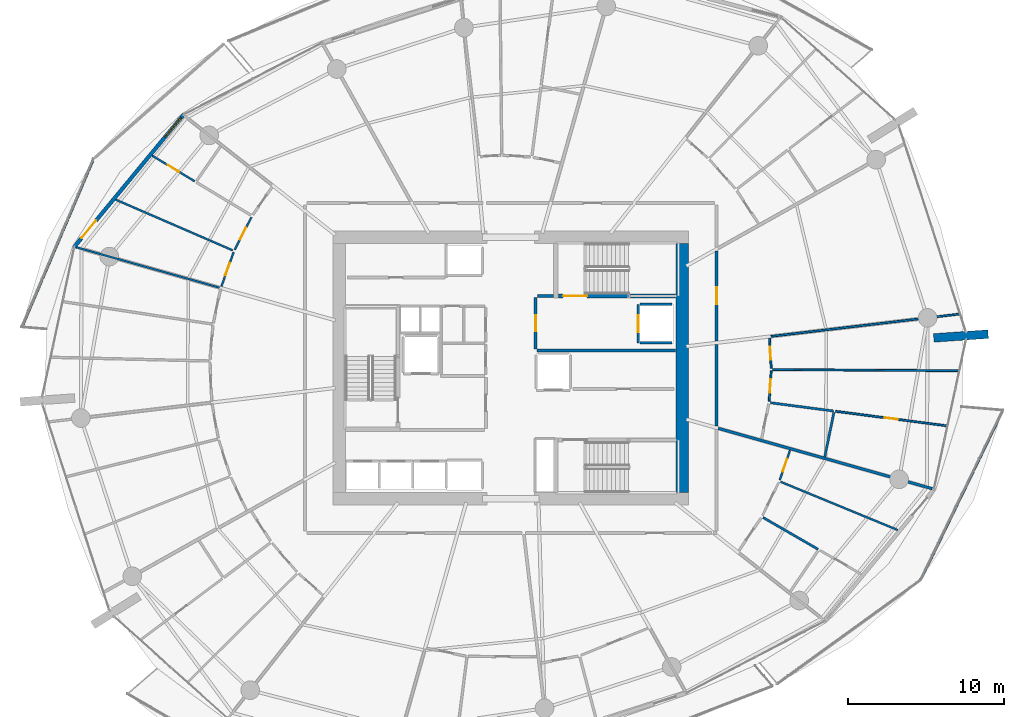
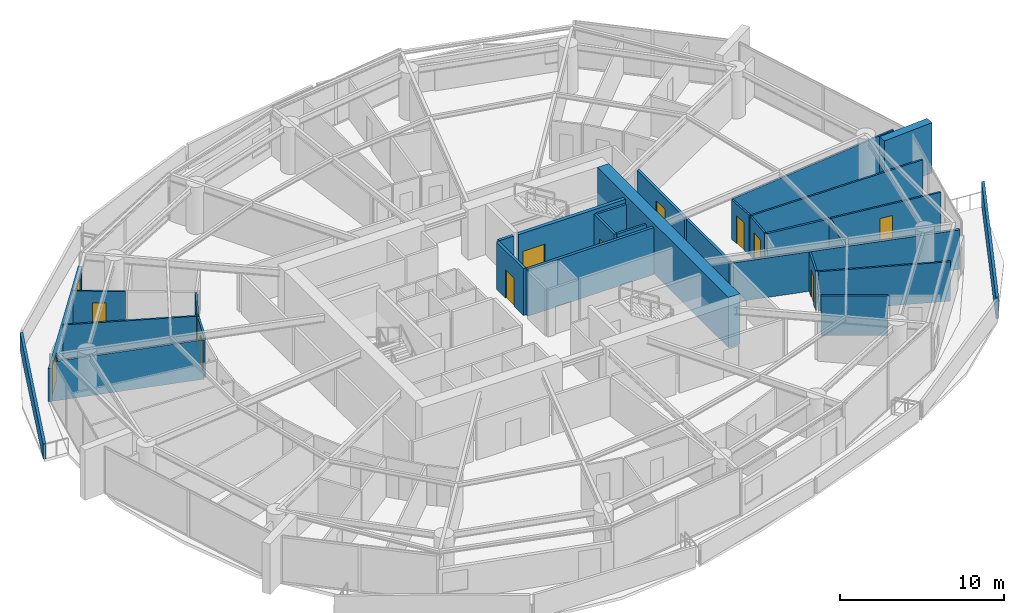
# One storey, part 14 of 23: 30 walls, 12 doors, 1 window, 13 openings.
"""IFC4 building model written with IfcOpenShell, lengths in metres."""

from ifc_helpers import new_model, si_unit, direction, frame, frame_2d, origin, place, context, subcontext, project, spatial, polyline, rectangle, outline, extrude, material, layer, layer_set, type_object, element, fill, save


model = new_model("IFC4")

# Units and contexts
model_context = context("Model", 3, precision=1e-05, world=origin(), true_north=direction((0.0, 1.0)))
body_context = subcontext(model_context, "Body", "Model", "MODEL_VIEW")
ifc_project = project(units=[si_unit("LENGTHUNIT", "METRE"), si_unit("AREAUNIT", "SQUARE_METRE"), si_unit("VOLUMEUNIT", "CUBIC_METRE"), si_unit("PLANEANGLEUNIT", "RADIAN"), si_unit("MASSUNIT", "GRAM", prefix="KILO")], contexts=[model_context])

# Site, building, storey
site_placement = place(None, origin())
site = spatial("IfcSite", under=ifc_project, at=site_placement, CompositionType="ELEMENT")
building_placement = place(site_placement, origin())
building = spatial("IfcBuilding", under=site, at=building_placement, Name="Kazma Halo Residences", CompositionType="ELEMENT")
storey_placement = place(building_placement, frame((0.0, 0.0, 86.39990234375)))
storey = spatial("IfcBuildingStorey", under=building, at=storey_placement, Name="L21", CompositionType="ELEMENT", Elevation=86.39990234375)

# Walls
ifc_material_1 = material(Name="White Concrete C50/60 Balustrade", Category="concrete")
ifc_layer_1 = layer(ifc_material_1, 0.179931640625)
ifc_layer_set_1 = layer_set([ifc_layer_1], Name="White Concrete C50/60 Balustrade")
wall_type_1 = type_object("IfcWallType", Name="WL-BAL-WAVE-180", PredefinedType="PARAPET", material=ifc_layer_set_1)
wall_1_placement = place(storey_placement, frame((21.55810546875, 55.33837890625, 0.0), z_axis=(0.0, 0.0, 1.0), x_axis=(-0.391761113394, -0.920066970406, 0.0)))
element("IfcWall", 1, at=wall_1_placement, inside=storey, type_object=wall_type_1, Name="L21 white wave balustrade wall NW.2", PredefinedType="PARAPET", context=body_context, shape_type="SweptSolid", body=[
    extrude(outline(polyline([(0.0, 0.0), (11.637939453125, 0.0), (11.63818359375, 1.1201171875), (5.819091796875, 1.18212890625), (0.0, 1.34814453125), (0.0, 0.0)])), frame((0.0, 0.08984375, 0.0), z_axis=(0.0, -1.0, 0.0), x_axis=(1.0, 0.0, 0.0)), (0.0, 0.0, 1.0), 0.179931640625),
])
wall_2_placement = place(storey_placement, frame((74.802001953125, 28.478515625, 0.0), z_axis=(0.0, 0.0, 1.0), x_axis=(0.436107839058, 0.89989441198, 0.0)))
element("IfcWall", 2, at=wall_2_placement, inside=storey, type_object=wall_type_1, Name="L21 white wave balustrade wall SE.2", PredefinedType="PARAPET", context=body_context, shape_type="SweptSolid", body=[
    extrude(outline(polyline([(0.0, 0.0), (12.004638671875, 0.0), (12.0048828125, 1.860107421875), (6.00244140625, 1.798095703125), (0.0, 1.632080078125), (0.0, 0.0)])), frame((0.0, 0.08984375, 0.0), z_axis=(0.0, -1.0, 0.0), x_axis=(1.0, 0.0, 0.0)), (0.0, 0.0, 1.0), 0.179931640625),
])
ifc_material_2 = material(Name="Pale Concrete C60/75", Category="concrete")
ifc_layer_2 = layer(ifc_material_2, 0.550048828125)
ifc_layer_set_2 = layer_set([ifc_layer_2], Name="Pale Concrete C60/75")
wall_type_2 = type_object("IfcWallType", Name="WL-BLADE-550", PredefinedType="SOLIDWALL", material=ifc_layer_set_2)
wall_3_placement = place(storey_placement, frame((75.606201171875, 43.930419921875, 0.0), z_axis=(0.0, 0.0, 1.0), x_axis=(0.997564163539, 0.069754853754, 0.0)))
element("IfcWall", 3, at=wall_3_placement, inside=storey, type_object=wall_type_2, Name="L21 pale concrete structural blade fin wall BW-04", PredefinedType="SOLIDWALL", context=body_context, shape_type="SweptSolid", body=[
    extrude(rectangle(XDim=3.5, YDim=0.550048828125, at=frame_2d((1.75, 0.0))), origin(), (0.0, 0.0, 1.0), 3.75),
])
ifc_material_3 = material(Name="Concrete C80/95", Category="concrete")
ifc_layer_3 = layer(ifc_material_3, 0.800048828125)
ifc_layer_set_3 = layer_set([ifc_layer_3], Name="Concrete C80/95")
wall_type_3 = type_object("IfcWallType", Name="WL-CORE-800", PredefinedType="SHEAR", material=ifc_layer_set_3)
wall_4_placement = place(storey_placement, frame((59.449951171875, 34.0, 0.0), z_axis=(0.0, 0.0, 1.0), x_axis=(0.0, 1.0, 0.0)))
element("IfcWall", 4, at=wall_4_placement, inside=storey, type_object=wall_type_3, Name="L21 central core shear wall E", PredefinedType="SHEAR", context=body_context, shape_type="SweptSolid", body=[
    extrude(rectangle(XDim=16.0, YDim=0.800048828125, at=frame_2d((8.0, 0.0))), origin(), (0.0, 0.0, 1.0), 3.75),
])
ifc_material_4 = material(Name="Acoustic Twin-Stud Gypsum")
ifc_layer_4 = layer(ifc_material_4, 0.179931640625)
ifc_layer_set_4 = layer_set([ifc_layer_4], Name="Acoustic Twin-Stud Gypsum")
wall_type_4 = type_object("IfcWallType", Name="WL-DEM-180", PredefinedType="PARTITIONING", material=ifc_layer_set_4)
wall_5_placement = place(storey_placement, frame((61.755859375, 38.120361328125, 0.0), z_axis=(0.0, 0.0, 1.0), x_axis=(0.962455861176, -0.271438234756, 0.0)))
element("IfcWall", 5, at=wall_5_placement, inside=storey, type_object=wall_type_4, Name="L21 apartment demising radial wall 14", PredefinedType="PARTITIONING", context=body_context, shape_type="SweptSolid", body=[
    extrude(rectangle(XDim=14.278564453125, YDim=0.179931640625, at=frame_2d((7.13916015625, 0.0))), origin(), (0.0, 0.0, 1.0), 2.940185546875),
])

# Wall, opening, door
wall_6_placement = place(storey_placement, frame((61.64990234375, 43.735595703125, 0.0), z_axis=(0.0, 0.0, 1.0), x_axis=(0.0, 1.0, 0.0)))
wall_6 = element("IfcWall", 6, at=wall_6_placement, inside=storey, type_object=wall_type_4, Name="L21 Apartment 4 entrance corridor wall", PredefinedType="PARTITIONING", context=body_context, shape_type="SweptSolid", body=[
    extrude(rectangle(XDim=5.788818359375, YDim=0.179931640625, at=frame_2d((2.89453125, 0.0))), origin(), (0.0, 0.0, 1.0), 2.940185546875),
])
opening_1_placement = place(wall_6_placement, frame((2.344482421875, 0.0, 0.0)))
opening_1 = element("IfcOpeningElement", 7, at=opening_1_placement, cuts=wall_6, Name="Opening DA-1100", PredefinedType="OPENING", context=body_context, shape_type="SweptSolid", body=[
    extrude(rectangle(XDim=1.10009765625, YDim=2.10009765625, at=frame_2d((0.550048828125, 1.050048828125))), frame((0.0, 0.099853515625, 0.0), z_axis=(0.0, -1.0, 0.0), x_axis=(1.0, 0.0, 0.0)), (0.0, 0.0, 1.0), 0.199951171875),
])
ifc_material_5 = material(Name="Acoustic Walnut Fire Leaf")
door_type_1 = type_object("IfcDoorType", Name="DR-FD60-1100", OperationType="NOTDEFINED", PredefinedType="DOOR", material=ifc_material_5)
door_1_placement = place(opening_1_placement, origin())
door_1 = element("IfcDoor", 8, at=door_1_placement, inside=storey, type_object=door_type_1, Name="L21 Apartment 4 entrance fire door", OperationType="SINGLE_SWING_RIGHT", OverallHeight=2.10009765625, OverallWidth=1.10009765625, PredefinedType="DOOR", context=body_context, shape_type="SweptSolid", body=[
    extrude(rectangle(XDim=1.10009765625, YDim=2.10009765625, at=frame_2d((0.550048828125, 1.050048828125))), frame((0.0, 0.02490234375, 0.0), z_axis=(0.0, -1.0, 0.0), x_axis=(1.0, 0.0, 0.0)), (0.0, 0.0, 1.0), 0.050048828125),
])
fill(opening_1, door_1)

# Wall
wall_7_placement = place(storey_placement, frame((61.64990234375, 38.270263671875, 0.0), z_axis=(0.0, 0.0, 1.0), x_axis=(0.0, 1.0, 0.0)))
element("IfcWall", 9, at=wall_7_placement, inside=storey, type_object=wall_type_4, Name="L21 Apartment 4 inner wall 14", PredefinedType="PARTITIONING", context=body_context, shape_type="SweptSolid", body=[
    extrude(rectangle(XDim=5.225341796875, YDim=0.179931640625, at=frame_2d((2.61279296875, 0.0))), origin(), (0.0, 0.0, 1.0), 2.940185546875),
])

# Wall, openings, door, window
ifc_material_6 = material(Name="Insulated Pale-Metal Composite Wall")
ifc_layer_5 = layer(ifc_material_6, 0.239990234375)
ifc_layer_set_5 = layer_set([ifc_layer_5], Name="Insulated Pale-Metal Composite Wall")
wall_type_5 = type_object("IfcWallType", Name="WL-EXT-HOST-240", PredefinedType="SOLIDWALL", material=ifc_layer_set_5)
wall_8_placement = place(storey_placement, frame((27.406982421875, 58.2978515625, 0.0), z_axis=(0.0, 0.0, 1.0), x_axis=(-0.636704975, -0.771107498868, 0.0)))
wall_8 = element("IfcWall", 10, at=wall_8_placement, inside=storey, type_object=wall_type_5, Name="L21 exterior terrace-access wall B06", PredefinedType="SOLIDWALL", context=body_context, shape_type="SweptSolid", body=[
    extrude(rectangle(XDim=11.084228515625, YDim=0.239990234375, at=frame_2d((5.5419921875, 0.0))), origin(), (0.0, 0.0, 1.0), 2.4501953125),
])
opening_2_placement = place(wall_8_placement, frame((8.8642578125, 0.0, 0.0)))
opening_2 = element("IfcOpeningElement", 11, at=opening_2_placement, cuts=wall_8, Name="Opening DTR-1600", PredefinedType="OPENING", context=body_context, shape_type="SweptSolid", body=[
    extrude(rectangle(XDim=1.449951171875, YDim=2.14990234375, at=frame_2d((0.72509765625, 1.074951171875))), frame((0.0, 0.1298828125, 0.0), z_axis=(0.0, -1.0, 0.0), x_axis=(1.0, 0.0, 0.0)), (0.0, 0.0, 1.0), 0.260009765625),
])
opening_3_placement = place(wall_8_placement, frame((0.280029296875, 0.0, 0.64990234375)))
opening_3 = element("IfcOpeningElement", 12, at=opening_3_placement, cuts=wall_8, Name="Opening W-1800", PredefinedType="OPENING", context=body_context, shape_type="SweptSolid", body=[
    extrude(rectangle(XDim=1.60009765625, YDim=1.5, at=frame_2d((0.800048828125, 0.75))), frame((0.0, 0.1298828125, 0.0), z_axis=(0.0, -1.0, 0.0), x_axis=(1.0, 0.0, 0.0)), (0.0, 0.0, 1.0), 0.260009765625),
])
ifc_material_7 = material(Name="Aluminium AW-6063 T6 Double-Glazed Terrace Door", Category="aluminium")
door_type_2 = type_object("IfcDoorType", Name="DR-EXT-TERR-1600", OperationType="NOTDEFINED", PredefinedType="DOOR", material=ifc_material_7)
door_2_placement = place(opening_2_placement, origin())
door_2 = element("IfcDoor", 13, at=door_2_placement, inside=storey, type_object=door_type_2, Name="L21 B06 balcony terrace door", OperationType="DOUBLE_DOOR_SLIDING", OverallHeight=2.14990234375, OverallWidth=1.449951171875, PredefinedType="DOOR", context=body_context, shape_type="SweptSolid", body=[
    extrude(rectangle(XDim=1.449951171875, YDim=2.14990234375, at=frame_2d((0.72509765625, 1.074951171875))), frame((0.0, 0.02490234375, 0.0), z_axis=(0.0, -1.0, 0.0), x_axis=(1.0, 0.0, 0.0)), (0.0, 0.0, 1.0), 0.050048828125),
])
fill(opening_2, door_2)
ifc_material_8 = material(Name="Clear Triple-Silver Low-E Glass in Aluminium AW-6063 T6 Frame", Category="aluminium")
window_type = type_object("IfcWindowType", Name="WIN-RES-1800", PartitioningType="DOUBLE_PANEL_VERTICAL", PredefinedType="WINDOW", material=ifc_material_8)
window_placement = place(opening_3_placement, origin())
window = element("IfcWindow", 14, at=window_placement, inside=storey, type_object=window_type, Name="L21 B06 apartment window", OverallHeight=1.5, OverallWidth=1.60009765625, PartitioningType="SINGLE_PANEL", PredefinedType="WINDOW", context=body_context, shape_type="SweptSolid", body=[
    extrude(rectangle(XDim=1.60009765625, YDim=1.5, at=frame_2d((0.800048828125, 0.75))), frame((0.0, 0.030029296875, 0.0), z_axis=(0.0, -1.0, 0.0), x_axis=(1.0, 0.0, 0.0)), (0.0, 0.0, 1.0), 0.06005859375),
])
fill(opening_3, window)

# Wall, opening, door
ifc_material_9 = material(Name="Fire-Rated Blockwork Masonry", Category="masonry")
ifc_layer_6 = layer(ifc_material_9, 0.199951171875)
ifc_layer_set_6 = layer_set([ifc_layer_6], Name="Fire-Rated Blockwork Masonry")
wall_type_6 = type_object("IfcWallType", Name="WL-FLB-200", PredefinedType="PARTITIONING", material=ifc_layer_set_6)
wall_9_placement = place(storey_placement, frame((56.6201171875, 46.080078125, 0.0), z_axis=(0.0, 0.0, 1.0), x_axis=(0.0, -1.0, 0.0)))
wall_9 = element("IfcWall", 15, at=wall_9_placement, inside=storey, type_object=wall_type_6, Name="L21 lift shaft FL-02 front wall", PredefinedType="PARTITIONING", context=body_context, shape_type="SweptSolid", body=[
    extrude(rectangle(XDim=2.4599609375, YDim=0.159912109375, at=frame_2d((1.22998046875, 0.0))), origin(), (0.0, 0.0, 1.0), 3.5),
])
opening_4_placement = place(wall_9_placement, frame((0.679931640625, 0.0, 0.0)))
opening_4 = element("IfcOpeningElement", 16, at=opening_4_placement, cuts=wall_9, Name="Opening LD-FL-02", PredefinedType="OPENING", context=body_context, shape_type="SweptSolid", body=[
    extrude(rectangle(XDim=1.10009765625, YDim=2.10009765625, at=frame_2d((0.550048828125, 1.050048828125))), frame((0.0, 0.08984375, 0.0), z_axis=(0.0, -1.0, 0.0), x_axis=(1.0, 0.0, 0.0)), (0.0, 0.0, 1.0), 0.179931640625),
])
ifc_material_10 = material(Name="Stainless Steel Fire-Rated", Category="steel")
door_type_3 = type_object("IfcDoorType", Name="DR-LIFT-SLD-1100", OperationType="DOUBLE_DOOR_SLIDING", PredefinedType="DOOR", material=ifc_material_10)
door_3_placement = place(opening_4_placement, origin())
door_3 = element("IfcDoor", 17, at=door_3_placement, inside=storey, type_object=door_type_3, Name="L21 lift FL-02 sliding landing door", OperationType="DOUBLE_DOOR_SLIDING", OverallHeight=2.10009765625, OverallWidth=1.10009765625, PredefinedType="DOOR", context=body_context, shape_type="SweptSolid", body=[
    extrude(rectangle(XDim=1.10009765625, YDim=2.10009765625, at=frame_2d((0.550048828125, 1.050048828125))), frame((0.0, 0.02490234375, 0.0), z_axis=(0.0, -1.0, 0.0), x_axis=(1.0, 0.0, 0.0)), (0.0, 0.0, 1.0), 0.050048828125),
])
fill(opening_4, door_3)

# Walls
for number, where, z_axis, x_axis, name in (
    (18, (56.719970703125, 46.080078125, 0.0), (0.0, 0.0, 1.0), (1.0, 0.0, 0.0), "L21 lift shaft FL-02 side wall N"),
    (19, (56.719970703125, 43.6201171875, 0.0), (0.0, 0.0, 1.0), (1.0, 0.0, 0.0), "L21 lift shaft FL-02 side wall S"),
):
    element("IfcWall", number, at=place(storey_placement, frame(where, z_axis=z_axis, x_axis=x_axis)), inside=storey, type_object=wall_type_6, Name=name, PredefinedType="PARTITIONING", context=body_context, shape_type="SweptSolid", body=[
        extrude(rectangle(XDim=2.06005859375, YDim=0.159912109375, at=frame_2d((1.030029296875, 0.0))), origin(), (0.0, 0.0, 1.0), 3.5),
    ])
wall_10_placement = place(storey_placement, frame((50.1201171875, 43.1201171875, 0.0), z_axis=(0.0, 0.0, 1.0), x_axis=(1.0, 0.0, 0.0)))
element("IfcWall", 20, at=wall_10_placement, inside=storey, type_object=wall_type_6, Name="L21 east firefighting lobby south smoke wall", PredefinedType="PARTITIONING", context=body_context, shape_type="SweptSolid", body=[
    extrude(rectangle(XDim=8.8798828125, YDim=0.199951171875, at=frame_2d((4.43994140625, 0.0))), origin(), (0.0, 0.0, 1.0), 3.5),
])
wall_11_placement = place(storey_placement, frame((50.139892578125, 46.6201171875, 0.0), z_axis=(0.0, 0.0, 1.0), x_axis=(1.0, 0.0, 0.0)))
element("IfcWall", 21, at=wall_11_placement, inside=storey, type_object=wall_type_6, Name="L21 east firefighting lobby north closure wall", PredefinedType="PARTITIONING", context=body_context, shape_type="SweptSolid", body=[
    extrude(rectangle(XDim=1.02001953125, YDim=0.199951171875, at=frame_2d((0.510009765625, 0.0))), origin(), (0.0, 0.0, 1.0), 3.5),
])

# Wall, opening, door
wall_12_placement = place(storey_placement, frame((50.02001953125, 43.219970703125, 0.0), z_axis=(0.0, 0.0, 1.0), x_axis=(0.0, 1.0, 0.0)))
wall_12 = element("IfcWall", 22, at=wall_12_placement, inside=storey, type_object=wall_type_6, Name="L21 east firefighting lobby smoke wall", PredefinedType="PARTITIONING", context=body_context, shape_type="SweptSolid", body=[
    extrude(rectangle(XDim=3.300048828125, YDim=0.199951171875, at=frame_2d((1.64990234375, 0.0))), origin(), (0.0, 0.0, 1.0), 3.5),
])
opening_5_placement = place(wall_12_placement, frame((1.125, 0.0, 0.0)))
opening_5 = element("IfcOpeningElement", 23, at=opening_5_placement, cuts=wall_12, Name="Opening D-FLE", PredefinedType="OPENING", context=body_context, shape_type="SweptSolid", body=[
    extrude(rectangle(XDim=1.050048828125, YDim=2.10009765625, at=frame_2d((0.52490234375, 1.050048828125))), frame((0.0, 0.10986328125, 0.0), z_axis=(0.0, -1.0, 0.0), x_axis=(1.0, 0.0, 0.0)), (0.0, 0.0, 1.0), 0.219970703125),
])
ifc_material_11 = material(Name="Fire-Rated Steel Leaf", Category="steel")
door_type_4 = type_object("IfcDoorType", Name="DR-FD90-1050", OperationType="NOTDEFINED", PredefinedType="DOOR", material=ifc_material_11)
door_4_placement = place(opening_5_placement, origin())
door_4 = element("IfcDoor", 24, at=door_4_placement, inside=storey, type_object=door_type_4, Name="L21 east firefighting lobby smoke door", OperationType="SINGLE_SWING_LEFT", OverallHeight=2.10009765625, OverallWidth=1.050048828125, PredefinedType="DOOR", context=body_context, shape_type="SweptSolid", body=[
    extrude(rectangle(XDim=1.050048828125, YDim=2.10009765625, at=frame_2d((0.52490234375, 1.050048828125))), frame((0.0, 0.02490234375, 0.0), z_axis=(0.0, -1.0, 0.0), x_axis=(1.0, 0.0, 0.0)), (0.0, 0.0, 1.0), 0.050048828125),
])
fill(opening_5, door_4)

ifc_material_12 = material(Name="Gypsum Plasterboard Partition")
ifc_layer_7 = layer(ifc_material_12, 0.125)
ifc_layer_set_7 = layer_set([ifc_layer_7], Name="Gypsum Plasterboard Partition")
wall_type_7 = type_object("IfcWallType", Name="WL-PART-125", PredefinedType="PARTITIONING", material=ifc_layer_set_7)
wall_13_placement = place(storey_placement, frame((28.108642578125, 53.996826171875, 0.0), z_axis=(0.0, 0.0, 1.0), x_axis=(-0.856309036054, 0.516463778761, 0.0)))
wall_13 = element("IfcWall", 25, at=wall_13_placement, inside=storey, type_object=wall_type_7, Name="L21 Apartment 1 Utility Laundry Room partition wall", PredefinedType="PARTITIONING", context=body_context, shape_type="SweptSolid", body=[
    extrude(rectangle(XDim=3.1904296875, YDim=0.125, at=frame_2d((1.59521484375, 0.0))), origin(), (0.0, 0.0, 1.0), 2.940185546875),
])
opening_6_placement = place(wall_13_placement, frame((1.17041015625, 0.0, 0.0)))
opening_6 = element("IfcOpeningElement", 26, at=opening_6_placement, cuts=wall_13, Name="Opening DB-900", PredefinedType="OPENING", context=body_context, shape_type="SweptSolid", body=[
    extrude(rectangle(XDim=0.85009765625, YDim=2.06005859375, at=frame_2d((0.425048828125, 1.030029296875))), frame((0.0, 0.072509765625, 0.0), z_axis=(0.0, -1.0, 0.0), x_axis=(1.0, 0.0, 0.0)), (0.0, 0.0, 1.0), 0.14501953125),
])
ifc_material_13 = material(Name="Moisture-Sealed Timber Leaf", Category="wood")
door_type_5 = type_object("IfcDoorType", Name="DR-BTH-900", OperationType="NOTDEFINED", PredefinedType="DOOR", material=ifc_material_13)
door_5_placement = place(opening_6_placement, origin())
door_5 = element("IfcDoor", 27, at=door_5_placement, inside=storey, type_object=door_type_5, Name="L21 Apartment 1 Utility Laundry Room door", OperationType="SINGLE_SWING_RIGHT", OverallHeight=2.06005859375, OverallWidth=0.85009765625, PredefinedType="DOOR", context=body_context, shape_type="SweptSolid", body=[
    extrude(rectangle(XDim=0.85009765625, YDim=2.06005859375, at=frame_2d((0.425048828125, 1.030029296875))), frame((0.0, 0.02490234375, 0.0), z_axis=(0.0, -1.0, 0.0), x_axis=(1.0, 0.0, 0.0)), (0.0, 0.0, 1.0), 0.050048828125),
])
fill(opening_6, door_5)

# Wall
wall_14_placement = place(storey_placement, frame((30.557373046875, 49.556396484375, 0.0), z_axis=(0.0, 0.0, 1.0), x_axis=(-0.917609944695, 0.39748206173, 0.0)))
element("IfcWall", 28, at=wall_14_placement, inside=storey, type_object=wall_type_7, Name="L21 Apartment 1 suite divider 5", PredefinedType="PARTITIONING", context=body_context, shape_type="SweptSolid", body=[
    extrude(rectangle(XDim=8.197265625, YDim=0.125, at=frame_2d((4.0986328125, 0.0))), origin(), (0.0, 0.0, 1.0), 2.940185546875),
])

# Wall, opening, door
wall_15_placement = place(storey_placement, frame((31.75830078125, 51.69091796875, 0.0), z_axis=(0.0, 0.0, 1.0), x_axis=(-0.458055610994, -0.888923538465, 0.0)))
wall_15 = element("IfcWall", 29, at=wall_15_placement, inside=storey, type_object=wall_type_7, Name="L21 Apartment 1 Gourmet Kitchen hall wall", PredefinedType="PARTITIONING", context=body_context, shape_type="SweptSolid", body=[
    extrude(rectangle(XDim=2.361572265625, YDim=0.125, at=frame_2d((1.1806640625, 0.0))), origin(), (0.0, 0.0, 1.0), 2.940185546875),
])
opening_7_placement = place(wall_15_placement, frame((0.755859375, 0.0, 0.0)))
opening_7 = element("IfcOpeningElement", 30, at=opening_7_placement, cuts=wall_15, Name="Opening DB-900", PredefinedType="OPENING", context=body_context, shape_type="SweptSolid", body=[
    extrude(rectangle(XDim=0.85009765625, YDim=2.06005859375, at=frame_2d((0.425048828125, 1.030029296875))), frame((0.0, 0.072509765625, 0.0), z_axis=(0.0, -1.0, 0.0), x_axis=(1.0, 0.0, 0.0)), (0.0, 0.0, 1.0), 0.14501953125),
])
door_6_placement = place(opening_7_placement, origin())
door_6 = element("IfcDoor", 31, at=door_6_placement, inside=storey, type_object=door_type_5, Name="L21 Apartment 1 Gourmet Kitchen door", OperationType="SINGLE_SWING_LEFT", OverallHeight=2.06005859375, OverallWidth=0.85009765625, PredefinedType="DOOR", context=body_context, shape_type="SweptSolid", body=[
    extrude(rectangle(XDim=0.85009765625, YDim=2.06005859375, at=frame_2d((0.425048828125, 1.030029296875))), frame((0.0, 0.02490234375, 0.0), z_axis=(0.0, -1.0, 0.0), x_axis=(1.0, 0.0, 0.0)), (0.0, 0.0, 1.0), 0.050048828125),
])
fill(opening_7, door_6)

wall_16_placement = place(storey_placement, frame((30.61328125, 49.445068359375, 0.0), z_axis=(0.0, 0.0, 1.0), x_axis=(-0.335316857021, -0.94210541098, 0.0)))
wall_16 = element("IfcWall", 32, at=wall_16_placement, inside=storey, type_object=wall_type_7, Name="L21 Apartment 1 Primary Bedroom hall wall", PredefinedType="PARTITIONING", context=body_context, shape_type="SweptSolid", body=[
    extrude(rectangle(XDim=2.351806640625, YDim=0.125, at=frame_2d((1.17578125, 0.0))), origin(), (0.0, 0.0, 1.0), 2.940185546875),
])
opening_8_placement = place(wall_16_placement, frame((0.750732421875, 0.0, 0.0)))
opening_8 = element("IfcOpeningElement", 33, at=opening_8_placement, cuts=wall_16, Name="Opening DB-900", PredefinedType="OPENING", context=body_context, shape_type="SweptSolid", body=[
    extrude(rectangle(XDim=0.85009765625, YDim=2.06005859375, at=frame_2d((0.425048828125, 1.030029296875))), frame((0.0, 0.072509765625, 0.0), z_axis=(0.0, -1.0, 0.0), x_axis=(1.0, 0.0, 0.0)), (0.0, 0.0, 1.0), 0.14501953125),
])
door_7_placement = place(opening_8_placement, origin())
door_7 = element("IfcDoor", 34, at=door_7_placement, inside=storey, type_object=door_type_5, Name="L21 Apartment 1 Primary Bedroom door", OperationType="SINGLE_SWING_RIGHT", OverallHeight=2.06005859375, OverallWidth=0.85009765625, PredefinedType="DOOR", context=body_context, shape_type="SweptSolid", body=[
    extrude(rectangle(XDim=0.85009765625, YDim=2.06005859375, at=frame_2d((0.425048828125, 1.030029296875))), frame((0.0, 0.02490234375, 0.0), z_axis=(0.0, -1.0, 0.0), x_axis=(1.0, 0.0, 0.0)), (0.0, 0.0, 1.0), 0.050048828125),
])
fill(opening_8, door_7)

# Walls
wall_17_placement = place(storey_placement, frame((29.695068359375, 47.16259765625, 0.0), z_axis=(0.0, 0.0, 1.0), x_axis=(-0.962455839824, 0.271438310467, 0.0)))
element("IfcWall", 35, at=wall_17_placement, inside=storey, type_object=wall_type_7, Name="L21 Apartment 1 radial partition 6", PredefinedType="PARTITIONING", context=body_context, shape_type="SweptSolid", body=[
    extrude(rectangle(XDim=9.552001953125, YDim=0.125, at=frame_2d((4.77587890625, 0.0))), origin(), (0.0, 0.0, 1.0), 2.940185546875),
])
wall_18_placement = place(storey_placement, frame((65.764404296875, 34.68408203125, 0.0), z_axis=(0.0, 0.0, 1.0), x_axis=(0.924663817091, -0.380784486767, 0.0)))
element("IfcWall", 36, at=wall_18_placement, inside=storey, type_object=wall_type_7, Name="L21 Apartment 3 suite divider 13", PredefinedType="PARTITIONING", context=body_context, shape_type="SweptSolid", body=[
    extrude(rectangle(XDim=8.143310546875, YDim=0.125, at=frame_2d((4.07177734375, 0.0))), origin(), (0.0, 0.0, 1.0), 2.940185546875),
])

# Wall, opening, door
wall_19_placement = place(storey_placement, frame((65.70751953125, 34.7939453125, 0.0), z_axis=(0.0, 0.0, 1.0), x_axis=(0.326586587155, 0.945167287357, 0.0)))
wall_19 = element("IfcWall", 37, at=wall_19_placement, inside=storey, type_object=wall_type_7, Name="L21 Apartment 3 South Master Bedroom hall wall", PredefinedType="PARTITIONING", context=body_context, shape_type="SweptSolid", body=[
    extrude(rectangle(XDim=2.03271484375, YDim=0.125, at=frame_2d((1.016357421875, 0.0))), origin(), (0.0, 0.0, 1.0), 2.940185546875),
])
opening_9_placement = place(wall_19_placement, frame((0.59130859375, 0.0, 0.0)))
opening_9 = element("IfcOpeningElement", 38, at=opening_9_placement, cuts=wall_19, Name="Opening DB-900", PredefinedType="OPENING", context=body_context, shape_type="SweptSolid", body=[
    extrude(rectangle(XDim=0.85009765625, YDim=2.06005859375, at=frame_2d((0.425048828125, 1.030029296875))), frame((0.0, 0.072509765625, 0.0), z_axis=(0.0, -1.0, 0.0), x_axis=(1.0, 0.0, 0.0)), (0.0, 0.0, 1.0), 0.14501953125),
])
door_8_placement = place(opening_9_placement, origin())
door_8 = element("IfcDoor", 39, at=door_8_placement, inside=storey, type_object=door_type_5, Name="L21 Apartment 3 South Master Bedroom door", OperationType="SINGLE_SWING_RIGHT", OverallHeight=2.06005859375, OverallWidth=0.85009765625, PredefinedType="DOOR", context=body_context, shape_type="SweptSolid", body=[
    extrude(rectangle(XDim=0.85009765625, YDim=2.06005859375, at=frame_2d((0.425048828125, 1.030029296875))), frame((0.0, 0.02490234375, 0.0), z_axis=(0.0, -1.0, 0.0), x_axis=(1.0, 0.0, 0.0)), (0.0, 0.0, 1.0), 0.050048828125),
])
fill(opening_9, door_8)

# Wall
wall_20_placement = place(storey_placement, frame((65.145263671875, 44.029296875, 0.0), z_axis=(0.0, 0.0, 1.0), x_axis=(0.993069321468, 0.117530092994, 0.0)))
element("IfcWall", 40, at=wall_20_placement, inside=storey, type_object=wall_type_7, Name="L21 Apartment 4 living radial partition 14", PredefinedType="PARTITIONING", context=body_context, shape_type="SweptSolid", body=[
    extrude(rectangle(XDim=12.21435546875, YDim=0.125, at=frame_2d((6.107177734375, 0.0))), origin(), (0.0, 0.0, 1.0), 2.940185546875),
])

# Wall, opening, door
wall_21_placement = place(storey_placement, frame((69.293701171875, 39.21630859375, 0.0), z_axis=(0.0, 0.0, 1.0), x_axis=(0.991568571776, -0.129583052391, 0.0)))
wall_21 = element("IfcWall", 41, at=wall_21_placement, inside=storey, type_object=wall_type_7, Name="L21 Apartment 4 Household Store Room partition wall", PredefinedType="PARTITIONING", context=body_context, shape_type="SweptSolid", body=[
    extrude(rectangle(XDim=7.23291015625, YDim=0.125, at=frame_2d((3.616455078125, 0.0))), origin(), (0.0, 0.0, 1.0), 2.940185546875),
])
opening_10_placement = place(wall_21_placement, frame((3.19140625, 0.0, 0.0)))
opening_10 = element("IfcOpeningElement", 42, at=opening_10_placement, cuts=wall_21, Name="Opening DB-900", PredefinedType="OPENING", context=body_context, shape_type="SweptSolid", body=[
    extrude(rectangle(XDim=0.85009765625, YDim=2.06005859375, at=frame_2d((0.425048828125, 1.030029296875))), frame((0.0, 0.072509765625, 0.0), z_axis=(0.0, -1.0, 0.0), x_axis=(1.0, 0.0, 0.0)), (0.0, 0.0, 1.0), 0.14501953125),
])
door_9_placement = place(opening_10_placement, origin())
door_9 = element("IfcDoor", 43, at=door_9_placement, inside=storey, type_object=door_type_5, Name="L21 Apartment 4 Household Store Room door", OperationType="SINGLE_SWING_LEFT", OverallHeight=2.06005859375, OverallWidth=0.85009765625, PredefinedType="DOOR", context=body_context, shape_type="SweptSolid", body=[
    extrude(rectangle(XDim=0.85009765625, YDim=2.06005859375, at=frame_2d((0.425048828125, 1.030029296875))), frame((0.0, 0.02490234375, 0.0), z_axis=(0.0, -1.0, 0.0), x_axis=(1.0, 0.0, 0.0)), (0.0, 0.0, 1.0), 0.050048828125),
])
fill(opening_10, door_9)

# Wall
wall_22_placement = place(storey_placement, frame((65.254638671875, 41.89501953125, 0.0), z_axis=(0.0, 0.0, 1.0), x_axis=(0.999981408877, -0.006097696318, 0.0)))
element("IfcWall", 44, at=wall_22_placement, inside=storey, type_object=wall_type_7, Name="L21 Apartment 4 suite divider 14", PredefinedType="PARTITIONING", context=body_context, shape_type="SweptSolid", body=[
    extrude(rectangle(XDim=11.971435546875, YDim=0.125, at=frame_2d((5.98583984375, 0.0))), origin(), (0.0, 0.0, 1.0), 2.940185546875),
])

# Wall, opening, door
wall_23_placement = place(storey_placement, frame((65.0263671875, 39.864990234375, 0.0), z_axis=(0.0, 0.0, 1.0), x_axis=(0.067927845881, 0.997690236373, 0.0)))
wall_23 = element("IfcWall", 45, at=wall_23_placement, inside=storey, type_object=wall_type_7, Name="L21 Apartment 4 Gourmet Kitchen hall wall", PredefinedType="PARTITIONING", context=body_context, shape_type="SweptSolid", body=[
    extrude(rectangle(XDim=1.955078125, YDim=0.125, at=frame_2d((0.9775390625, 0.0))), origin(), (0.0, 0.0, 1.0), 2.940185546875),
])
opening_11_placement = place(wall_23_placement, frame((0.552734375, 0.0, 0.0)))
opening_11 = element("IfcOpeningElement", 46, at=opening_11_placement, cuts=wall_23, Name="Opening DB-900", PredefinedType="OPENING", context=body_context, shape_type="SweptSolid", body=[
    extrude(rectangle(XDim=0.85009765625, YDim=2.06005859375, at=frame_2d((0.425048828125, 1.030029296875))), frame((0.0, 0.072509765625, 0.0), z_axis=(0.0, -1.0, 0.0), x_axis=(1.0, 0.0, 0.0)), (0.0, 0.0, 1.0), 0.14501953125),
])
door_10_placement = place(opening_11_placement, origin())
door_10 = element("IfcDoor", 47, at=door_10_placement, inside=storey, type_object=door_type_5, Name="L21 Apartment 4 Gourmet Kitchen door", OperationType="SINGLE_SWING_RIGHT", OverallHeight=2.06005859375, OverallWidth=0.85009765625, PredefinedType="DOOR", context=body_context, shape_type="SweptSolid", body=[
    extrude(rectangle(XDim=0.85009765625, YDim=2.06005859375, at=frame_2d((0.425048828125, 1.030029296875))), frame((0.0, 0.02490234375, 0.0), z_axis=(0.0, -1.0, 0.0), x_axis=(1.0, 0.0, 0.0)), (0.0, 0.0, 1.0), 0.050048828125),
])
fill(opening_11, door_10)

wall_24_placement = place(storey_placement, frame((65.16015625, 41.975341796875, 0.0), z_axis=(0.0, 0.0, 1.0), x_axis=(-0.055845342743, 0.998439431159, 0.0)))
wall_24 = element("IfcWall", 48, at=wall_24_placement, inside=storey, type_object=wall_type_7, Name="L21 Apartment 4 Primary Bedroom hall wall", PredefinedType="PARTITIONING", context=body_context, shape_type="SweptSolid", body=[
    extrude(rectangle(XDim=1.9453125, YDim=0.125, at=frame_2d((0.97265625, 0.0))), origin(), (0.0, 0.0, 1.0), 2.940185546875),
])
opening_12_placement = place(wall_24_placement, frame((0.547607421875, 0.0, 0.0)))
opening_12 = element("IfcOpeningElement", 49, at=opening_12_placement, cuts=wall_24, Name="Opening DB-900", PredefinedType="OPENING", context=body_context, shape_type="SweptSolid", body=[
    extrude(rectangle(XDim=0.85009765625, YDim=2.06005859375, at=frame_2d((0.425048828125, 1.030029296875))), frame((0.0, 0.072509765625, 0.0), z_axis=(0.0, -1.0, 0.0), x_axis=(1.0, 0.0, 0.0)), (0.0, 0.0, 1.0), 0.14501953125),
])
door_11_placement = place(opening_12_placement, origin())
door_11 = element("IfcDoor", 50, at=door_11_placement, inside=storey, type_object=door_type_5, Name="L21 Apartment 4 Primary Bedroom door", OperationType="SINGLE_SWING_LEFT", OverallHeight=2.06005859375, OverallWidth=0.85009765625, PredefinedType="DOOR", context=body_context, shape_type="SweptSolid", body=[
    extrude(rectangle(XDim=0.85009765625, YDim=2.06005859375, at=frame_2d((0.425048828125, 1.030029296875))), frame((0.0, 0.02490234375, 0.0), z_axis=(0.0, -1.0, 0.0), x_axis=(1.0, 0.0, 0.0)), (0.0, 0.0, 1.0), 0.050048828125),
])
fill(opening_12, door_11)

ifc_material_14 = material(Name="Concrete C50/60", Category="concrete")
ifc_layer_8 = layer(ifc_material_14, 0.25)
ifc_layer_set_8 = layer_set([ifc_layer_8], Name="Concrete C50/60")
wall_type_8 = type_object("IfcWallType", Name="WL-SHF-250", PredefinedType="SOLIDWALL", material=ifc_layer_set_8)
wall_25_placement = place(storey_placement, frame((51.47998046875, 46.6201171875, 0.0), z_axis=(0.0, 0.0, 1.0), x_axis=(1.0, 0.0, 0.0)))
wall_25 = element("IfcWall", 51, at=wall_25_placement, inside=storey, type_object=wall_type_8, Name="L21 exit stair ST-02 enclosure wall", PredefinedType="SOLIDWALL", context=body_context, shape_type="SweptSolid", body=[
    extrude(rectangle(XDim=7.5400390625, YDim=0.25, at=frame_2d((3.77001953125, 0.0))), origin(), (0.0, 0.0, 1.0), 3.5),
])
opening_13_placement = place(wall_25_placement, frame((0.300048828125, 0.0, 0.0)))
opening_13 = element("IfcOpeningElement", 52, at=opening_13_placement, cuts=wall_25, Name="Opening D-ST2", PredefinedType="OPENING", context=body_context, shape_type="SweptSolid", body=[
    extrude(rectangle(XDim=1.550048828125, YDim=2.14990234375, at=frame_2d((0.77490234375, 1.074951171875))), frame((0.0, 0.135009765625, 0.0), z_axis=(0.0, -1.0, 0.0), x_axis=(1.0, 0.0, 0.0)), (0.0, 0.0, 1.0), 0.27001953125),
])
ifc_material_15 = material(Name="Fire-Rated Double Steel Leaf", Category="steel")
door_type_6 = type_object("IfcDoorType", Name="DR-FD90-1550", OperationType="NOTDEFINED", PredefinedType="DOOR", material=ifc_material_15)
door_12_placement = place(opening_13_placement, origin())
door_12 = element("IfcDoor", 53, at=door_12_placement, inside=storey, type_object=door_type_6, Name="L21 exit stair ST-02 fire door", OperationType="DOUBLE_DOOR_SINGLE_SWING", OverallHeight=2.14990234375, OverallWidth=1.550048828125, PredefinedType="DOOR", context=body_context, shape_type="SweptSolid", body=[
    extrude(rectangle(XDim=1.550048828125, YDim=2.14990234375, at=frame_2d((0.77490234375, 1.074951171875))), frame((0.0, 0.02490234375, 0.0), z_axis=(0.0, -1.0, 0.0), x_axis=(1.0, 0.0, 0.0)), (0.0, 0.0, 1.0), 0.050048828125),
])
fill(opening_13, door_12)

# Walls
ifc_material_16 = material(Name="Moisture-Resistant Gypsum")
ifc_layer_9 = layer(ifc_material_16, 0.14990234375)
ifc_layer_set_9 = layer_set([ifc_layer_9], Name="Moisture-Resistant Gypsum")
wall_type_9 = type_object("IfcWallType", Name="WL-WET-150", PredefinedType="PARTITIONING", material=ifc_layer_set_9)
wall_26_placement = place(storey_placement, frame((64.635498046875, 32.3896484375, 0.0), z_axis=(0.0, 0.0, 1.0), x_axis=(0.865897249189, -0.500221904605, 0.0)))
element("IfcWall", 54, at=wall_26_placement, inside=storey, type_object=wall_type_9, Name="L21 Apartment 3 East En-Suite Bathroom side wall", PredefinedType="PARTITIONING", context=body_context, shape_type="SweptSolid", body=[
    extrude(rectangle(XDim=4.090087890625, YDim=0.14990234375, at=frame_2d((2.044921875, 0.0))), origin(), (0.0, 0.0, 1.0), 2.940185546875),
])
wall_27_placement = place(storey_placement, frame((68.602294921875, 36.293212890625, 0.0), z_axis=(0.0, 0.0, 1.0), x_axis=(0.201041300111, 0.979582766105, 0.0)))
element("IfcWall", 55, at=wall_27_placement, inside=storey, type_object=wall_type_9, Name="L21 Apartment 4 Guest Bathroom back wall", PredefinedType="PARTITIONING", context=body_context, shape_type="SweptSolid", body=[
    extrude(rectangle(XDim=2.906005859375, YDim=0.14990234375, at=frame_2d((1.453125, 0.0))), origin(), (0.0, 0.0, 1.0), 2.940185546875),
])
wall_28_placement = place(storey_placement, frame((65.109375, 39.763427734375, 0.0), z_axis=(0.0, 0.0, 1.0), x_axis=(0.991567092065, -0.129594374624, 0.0)))
element("IfcWall", 56, at=wall_28_placement, inside=storey, type_object=wall_type_9, Name="L21 Apartment 4 Guest Bathroom side wall", PredefinedType="PARTITIONING", context=body_context, shape_type="SweptSolid", body=[
    extrude(rectangle(XDim=4.08984375, YDim=0.14990234375, at=frame_2d((2.044921875, 0.0))), origin(), (0.0, 0.0, 1.0), 2.940185546875),
])

save(model, "model.ifc")
